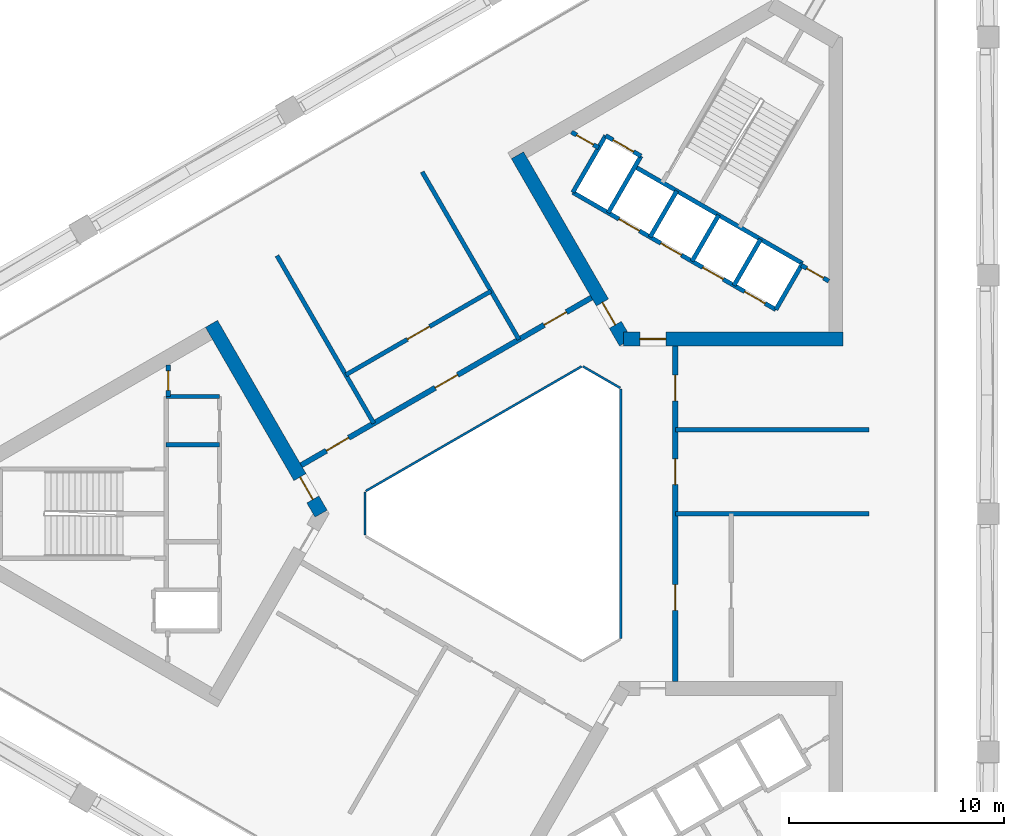
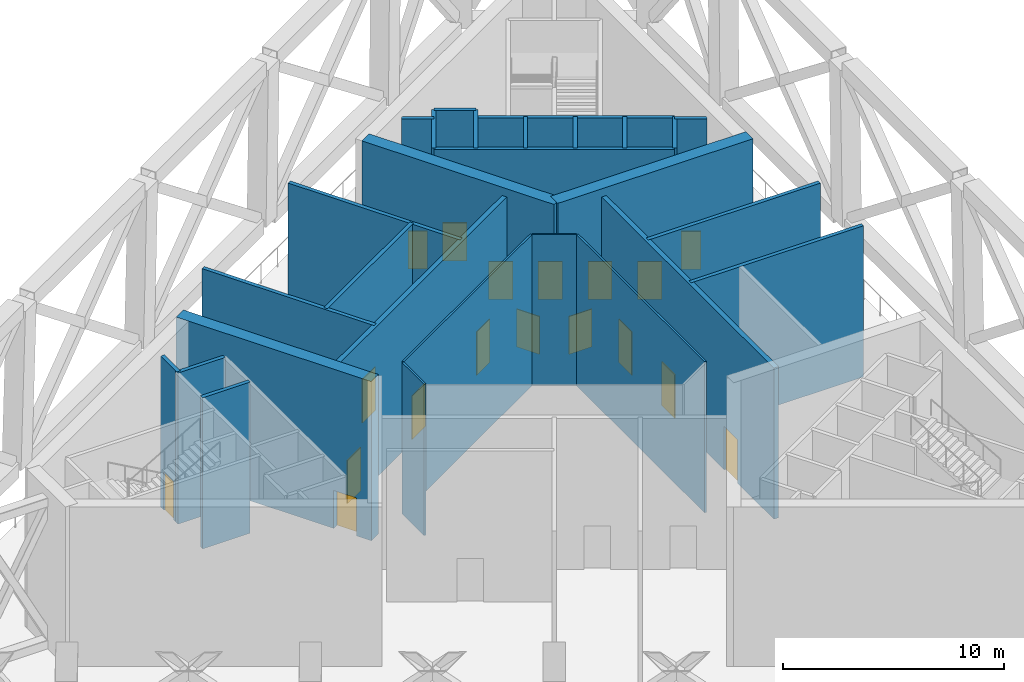
# One storey, part 5 of 8: 28 walls, 18 doors, 18 openings.
"""IFC4 building model written with IfcOpenShell, lengths in metres."""

from ifc_helpers import new_model, si_unit, direction, frame, frame_2d, origin, place, context, subcontext, project, spatial, rectangle, extrude, material, layer, layer_set, type_object, element, fill, save


model = new_model("IFC4")

# Units and contexts
model_context = context("Model", 3, precision=1e-05, world=origin(), true_north=direction((0.0, 1.0)))
body_context = subcontext(model_context, "Body", "Model", "MODEL_VIEW")
ifc_project = project(units=[si_unit("LENGTHUNIT", "METRE"), si_unit("AREAUNIT", "SQUARE_METRE"), si_unit("VOLUMEUNIT", "CUBIC_METRE"), si_unit("PLANEANGLEUNIT", "RADIAN"), si_unit("MASSUNIT", "GRAM", prefix="KILO")], contexts=[model_context])

# Site, building, storey
site_placement = place(None, origin())
site = spatial("IfcSite", under=ifc_project, at=site_placement, CompositionType="ELEMENT")
building_placement = place(site_placement, origin())
building = spatial("IfcBuilding", under=site, at=building_placement, Name="Jabali Bay Hotel Tower and Convention Centre", CompositionType="ELEMENT")
storey_placement = place(building_placement, frame((0.0, 0.0, 147.5)))
storey = spatial("IfcBuildingStorey", under=building, at=storey_placement, Name="L36", CompositionType="ELEMENT", Elevation=147.5)

# Walls
ifc_material_1 = material(Name="Fire-resistant glazing", Category="glass")
ifc_layer_1 = layer(ifc_material_1, 0.10009765625)
ifc_layer_set_1 = layer_set([ifc_layer_1], Name="Fire-resistant glazing")
wall_type_1 = type_object("IfcWallType", Name="Atrium glazed screen 100", PredefinedType="PARTITIONING", material=ifc_layer_set_1)
wall_1_placement = place(storey_placement, frame((79.56005859375, 74.205810546875, 0.0), z_axis=(0.0, 0.0, 1.0), x_axis=(0.0, 1.0, 0.0)))
element("IfcWall", 1, at=wall_1_placement, inside=storey, type_object=wall_type_1, Name="Atrium screen 1 L36", PredefinedType="PARTITIONING", context=body_context, shape_type="SweptSolid", body=[
    extrude(rectangle(XDim=11.58837890625, YDim=0.10009765625, at=frame_2d((5.794189453125, 0.0))), origin(), (0.0, 0.0, 1.0), 8.35009765625),
])
wall_2_placement = place(storey_placement, frame((79.530029296875, 85.84619140625, 0.0), z_axis=(0.0, 0.0, 1.0), x_axis=(-0.866041268327, 0.499972520799, 0.0)))
element("IfcWall", 2, at=wall_2_placement, inside=storey, type_object=wall_type_1, Name="Atrium screen 2 L36", PredefinedType="PARTITIONING", context=body_context, shape_type="SweptSolid", body=[
    extrude(rectangle(XDim=2.0, YDim=0.10009765625, at=frame_2d((1.0, 0.0))), origin(), (0.0, 0.0, 1.0), 8.35009765625),
])
wall_3_placement = place(storey_placement, frame((77.738037109375, 86.84619140625, 0.0), z_axis=(0.0, 0.0, 1.0), x_axis=(-0.866026658274, -0.499997827154, 0.0)))
element("IfcWall", 3, at=wall_3_placement, inside=storey, type_object=wall_type_1, Name="Atrium screen 3 L36", PredefinedType="PARTITIONING", context=body_context, shape_type="SweptSolid", body=[
    extrude(rectangle(XDim=11.58837890625, YDim=0.10009765625, at=frame_2d((5.794189453125, 0.0))), origin(), (0.0, 0.0, 1.0), 8.35009765625),
])
wall_4_placement = place(storey_placement, frame((67.672119140625, 81.0, 0.0), z_axis=(0.0, 0.0, 1.0), x_axis=(0.0, -1.0, 0.0)))
element("IfcWall", 4, at=wall_4_placement, inside=storey, type_object=wall_type_1, Name="Atrium screen 4 L36", PredefinedType="PARTITIONING", context=body_context, shape_type="SweptSolid", body=[
    extrude(rectangle(XDim=2.0, YDim=0.10009765625, at=frame_2d((1.0, 0.0))), origin(), (0.0, 0.0, 1.0), 8.35009765625),
])

# Wall, opening, door
ifc_material_2 = material(Name="Concrete C40", Category="concrete")
ifc_layer_2 = layer(ifc_material_2, 0.199951171875)
ifc_layer_set_2 = layer_set([ifc_layer_2], Name="Concrete C40")
wall_type_2 = type_object("IfcWallType", Name="Core partition wall 200", PredefinedType="PARTITIONING", material=ifc_layer_set_2)
wall_5_placement = place(storey_placement, frame((58.52001953125, 86.916748046875, 0.0), z_axis=(0.0, 0.0, 1.0), x_axis=(0.0, -1.0, 0.0)))
wall_5 = element("IfcWall", 5, at=wall_5_placement, inside=storey, type_object=wall_type_2, Name="Core wall 0.10 L36", PredefinedType="PARTITIONING", context=body_context, shape_type="SweptSolid", body=[
    extrude(rectangle(XDim=1.466796875, YDim=0.199951171875, at=frame_2d((0.7333984375, 0.0))), origin(), (0.0, 0.0, 1.0), 8.35009765625),
])
opening_1_placement = place(wall_5_placement, frame((0.283447265625, 0.0, 0.0)))
opening_1 = element("IfcOpeningElement", 6, at=opening_1_placement, cuts=wall_5, Name="Opening D788", PredefinedType="OPENING", context=body_context, shape_type="SweptSolid", body=[
    extrude(rectangle(XDim=0.89990234375, YDim=2.10009765625, at=frame_2d((0.449951171875, 1.050048828125))), frame((0.0, 0.1103515625, 0.0), z_axis=(0.0, -1.0, 0.0), x_axis=(1.0, 0.0, 0.0)), (0.0, 0.0, 1.0), 0.220947265625),
])
ifc_material_3 = material(Name="Fire-rated steel door", Category="steel")
door_type_1 = type_object("IfcDoorType", Name="Vestibule fire door 900 x 2100", OperationType="NOTDEFINED", PredefinedType="NOTDEFINED", material=ifc_material_3)
door_1_placement = place(opening_1_placement, origin())
door_1 = element("IfcDoor", 7, at=door_1_placement, inside=storey, type_object=door_type_1, Name="Vestibule fire door D788", OperationType="SINGLE_SWING_LEFT", OverallHeight=2.10009765625, OverallWidth=0.89990234375, PredefinedType="NOTDEFINED", context=body_context, shape_type="SweptSolid", body=[
    extrude(rectangle(XDim=0.89990234375, YDim=2.10009765625, at=frame_2d((0.449951171875, 1.050048828125))), frame((0.0, 0.02490234375, 0.0), z_axis=(0.0, -1.0, 0.0), x_axis=(1.0, 0.0, 0.0)), (0.0, 0.0, 1.0), 0.050048828125),
])
fill(opening_1, door_1)

wall_6_placement = place(storey_placement, frame((89.22998046875, 90.813720703125, 0.0), z_axis=(0.0, 0.0, 1.0), x_axis=(-0.866022048785, 0.500005810984, 0.0)))
wall_6 = element("IfcWall", 8, at=wall_6_placement, inside=storey, type_object=wall_type_2, Name="Core wall 1.11 L36", PredefinedType="PARTITIONING", context=body_context, shape_type="SweptSolid", body=[
    extrude(rectangle(XDim=1.466796875, YDim=0.199951171875, at=frame_2d((0.7333984375, 0.0))), origin(), (0.0, 0.0, 1.0), 8.35009765625),
])
opening_2_placement = place(wall_6_placement, frame((0.283447265625, 0.0, 0.0)))
opening_2 = element("IfcOpeningElement", 9, at=opening_2_placement, cuts=wall_6, Name="Opening D794", PredefinedType="OPENING", context=body_context, shape_type="SweptSolid", body=[
    extrude(rectangle(XDim=0.89990234375, YDim=2.10009765625, at=frame_2d((0.449951171875, 1.050048828125))), frame((0.0, 0.1103515625, 0.0), z_axis=(0.0, -1.0, 0.0), x_axis=(1.0, 0.0, 0.0)), (0.0, 0.0, 1.0), 0.220947265625),
])
door_2_placement = place(opening_2_placement, origin())
door_2 = element("IfcDoor", 10, at=door_2_placement, inside=storey, type_object=door_type_1, Name="Vestibule fire door D794", OperationType="SINGLE_SWING_LEFT", OverallHeight=2.10009765625, OverallWidth=0.89990234375, PredefinedType="NOTDEFINED", context=body_context, shape_type="SweptSolid", body=[
    extrude(rectangle(XDim=0.89990234375, YDim=2.10009765625, at=frame_2d((0.449951171875, 1.050048828125))), frame((0.0, 0.02490234375, 0.0), z_axis=(0.0, -1.0, 0.0), x_axis=(1.0, 0.0, 0.0)), (0.0, 0.0, 1.0), 0.050048828125),
])
fill(opening_2, door_2)

wall_7_placement = place(storey_placement, frame((78.5302734375, 97.014404296875, 0.0), z_axis=(0.0, 0.0, 1.0), x_axis=(-0.866045896294, 0.499964504253, 0.0)))
wall_7 = element("IfcWall", 11, at=wall_7_placement, inside=storey, type_object=wall_type_2, Name="Core wall 1.12 L36", PredefinedType="PARTITIONING", context=body_context, shape_type="SweptSolid", body=[
    extrude(rectangle(XDim=1.455078125, YDim=0.199951171875, at=frame_2d((0.7275390625, 0.0))), origin(), (0.0, 0.0, 1.0), 8.35009765625),
])
opening_3_placement = place(wall_7_placement, frame((0.277587890625, 0.0, 0.0)))
opening_3 = element("IfcOpeningElement", 12, at=opening_3_placement, cuts=wall_7, Name="Opening D793", PredefinedType="OPENING", context=body_context, shape_type="SweptSolid", body=[
    extrude(rectangle(XDim=0.89990234375, YDim=2.10009765625, at=frame_2d((0.449951171875, 1.050048828125))), frame((0.0, 0.1103515625, 0.0), z_axis=(0.0, -1.0, 0.0), x_axis=(1.0, 0.0, 0.0)), (0.0, 0.0, 1.0), 0.220947265625),
])
door_3_placement = place(opening_3_placement, origin())
door_3 = element("IfcDoor", 13, at=door_3_placement, inside=storey, type_object=door_type_1, Name="Vestibule fire door D793", OperationType="SINGLE_SWING_LEFT", OverallHeight=2.10009765625, OverallWidth=0.89990234375, PredefinedType="NOTDEFINED", context=body_context, shape_type="SweptSolid", body=[
    extrude(rectangle(XDim=0.89990234375, YDim=2.10009765625, at=frame_2d((0.449951171875, 1.050048828125))), frame((0.0, 0.02490234375, 0.0), z_axis=(0.0, -1.0, 0.0), x_axis=(1.0, 0.0, 0.0)), (0.0, 0.0, 1.0), 0.050048828125),
])
fill(opening_3, door_3)

# Walls
ifc_layer_3 = layer(ifc_material_2, 0.199951171875)
ifc_layer_set_3 = layer_set([ifc_layer_3], Name="Concrete C40")
wall_type_3 = type_object("IfcWallType", Name="Core stair wall 200", PredefinedType="SOLIDWALL", material=ifc_layer_set_3)
for number, where, z_axis, x_axis, name in (
    (14, (60.89990234375, 85.449951171875, 0.0), (0.0, 0.0, 1.0), (-1.0, 0.0, 0.0), "Core wall 0.0 L36"),
    (15, (60.89990234375, 83.199951171875, 0.0), (0.0, 0.0, 1.0), (-1.0, 0.0, 0.0), "Core wall 0.1 L36"),
):
    element("IfcWall", number, at=place(storey_placement, frame(where, z_axis=z_axis, x_axis=x_axis)), inside=storey, type_object=wall_type_3, Name=name, PredefinedType="SOLIDWALL", context=body_context, shape_type="SweptSolid", body=[
        extrude(rectangle(XDim=2.47998046875, YDim=0.199951171875, at=frame_2d((1.239990234375, 0.0))), origin(), (0.0, 0.0, 1.0), 8.35009765625),
    ])
for number, where, z_axis, x_axis, name in (
    (16, (86.769775390625, 89.48583984375, 0.0), (0.0, 0.0, 1.0), (0.499961042966, 0.86604789447, 0.0), "Core wall 1.0 L36"),
    (17, (84.8212890625, 90.61083984375, 0.0), (0.0, 0.0, 1.0), (0.499961042966, 0.86604789447, 0.0), "Core wall 1.1 L36"),
    (18, (82.872802734375, 91.73583984375, 0.0), (0.0, 0.0, 1.0), (0.499961042966, 0.86604789447, 0.0), "Core wall 1.3 L36"),
    (19, (80.924072265625, 92.86083984375, 0.0), (0.0, 0.0, 1.0), (0.499961042966, 0.86604789447, 0.0), "Core wall 1.6 L36"),
):
    element("IfcWall", number, at=place(storey_placement, frame(where, z_axis=z_axis, x_axis=x_axis)), inside=storey, type_object=wall_type_3, Name=name, PredefinedType="SOLIDWALL", context=body_context, shape_type="SweptSolid", body=[
        extrude(rectangle(XDim=2.480224609375, YDim=0.199951171875, at=frame_2d((1.240234375, 0.0))), origin(), (0.0, 0.0, 1.0), 8.35009765625),
    ])
for number, where, z_axis, x_axis, name in (
    (20, (78.9755859375, 93.98583984375, 0.0), (0.0, 0.0, 1.0), (0.499944174705, 0.866057632134, 0.0), "Core wall 1.8 L36"),
    (21, (77.330078125, 94.93603515625, 0.0), (0.0, 0.0, 1.0), (0.500038867431, 0.8660029625, 0.0), "Core wall 1.9 L36"),
):
    element("IfcWall", number, at=place(storey_placement, frame(where, z_axis=z_axis, x_axis=x_axis)), inside=storey, type_object=wall_type_3, Name=name, PredefinedType="SOLIDWALL", context=body_context, shape_type="SweptSolid", body=[
        extrude(rectangle(XDim=3.050048828125, YDim=0.199951171875, at=frame_2d((1.52490234375, 0.0))), origin(), (0.0, 0.0, 1.0), 8.35009765625),
    ])

# Wall, openings, doors
wall_8_placement = place(storey_placement, frame((86.769775390625, 89.48583984375, 0.0), z_axis=(0.0, 0.0, 1.0), x_axis=(-0.86601811187, 0.500012629753, 0.0)))
wall_8 = element("IfcWall", 22, at=wall_8_placement, inside=storey, type_object=wall_type_3, Name="Core wall 1.10 L36", PredefinedType="SOLIDWALL", context=body_context, shape_type="SweptSolid", body=[
    extrude(rectangle(XDim=10.900146484375, YDim=0.199951171875, at=frame_2d((5.4501953125, 0.0))), origin(), (0.0, 0.0, 1.0), 8.35009765625),
])
opening_4_placement = place(wall_8_placement, frame((0.574951171875, 0.0, 0.0)))
opening_4 = element("IfcOpeningElement", 23, at=opening_4_placement, cuts=wall_8, Name="Opening LD6-L36", PredefinedType="OPENING", context=body_context, shape_type="SweptSolid", body=[
    extrude(rectangle(XDim=1.10009765625, YDim=2.10009765625, at=frame_2d((0.550048828125, 1.050048828125))), frame((0.0, 0.1103515625, 0.0), z_axis=(0.0, -1.0, 0.0), x_axis=(1.0, 0.0, 0.0)), (0.0, 0.0, 1.0), 0.220947265625),
])
opening_5_placement = place(wall_8_placement, frame((2.824951171875, 0.0, 0.0)))
opening_5 = element("IfcOpeningElement", 24, at=opening_5_placement, cuts=wall_8, Name="Opening LD7-L36", PredefinedType="OPENING", context=body_context, shape_type="SweptSolid", body=[
    extrude(rectangle(XDim=1.10009765625, YDim=2.10009765625, at=frame_2d((0.550048828125, 1.050048828125))), frame((0.0, 0.1103515625, 0.0), z_axis=(0.0, -1.0, 0.0), x_axis=(1.0, 0.0, 0.0)), (0.0, 0.0, 1.0), 0.220947265625),
])
opening_6_placement = place(wall_8_placement, frame((5.074951171875, 0.0, 0.0)))
opening_6 = element("IfcOpeningElement", 25, at=opening_6_placement, cuts=wall_8, Name="Opening LD8-L36", PredefinedType="OPENING", context=body_context, shape_type="SweptSolid", body=[
    extrude(rectangle(XDim=1.10009765625, YDim=2.10009765625, at=frame_2d((0.550048828125, 1.050048828125))), frame((0.0, 0.1103515625, 0.0), z_axis=(0.0, -1.0, 0.0), x_axis=(1.0, 0.0, 0.0)), (0.0, 0.0, 1.0), 0.220947265625),
])
opening_7_placement = place(wall_8_placement, frame((7.324951171875, 0.0, 0.0)))
opening_7 = element("IfcOpeningElement", 26, at=opening_7_placement, cuts=wall_8, Name="Opening LD9-L36", PredefinedType="OPENING", context=body_context, shape_type="SweptSolid", body=[
    extrude(rectangle(XDim=1.10009765625, YDim=2.10009765625, at=frame_2d((0.550048828125, 1.050048828125))), frame((0.0, 0.1103515625, 0.0), z_axis=(0.0, -1.0, 0.0), x_axis=(1.0, 0.0, 0.0)), (0.0, 0.0, 1.0), 0.220947265625),
])
ifc_material_4 = material(Name="Stainless steel landing door", Category="steel")
door_type_2 = type_object("IfcDoorType", Name="Landing door 1100 x 2100", OperationType="NOTDEFINED", PredefinedType="NOTDEFINED", material=ifc_material_4)
door_4_placement = place(opening_4_placement, origin())
door_4 = element("IfcDoor", 27, at=door_4_placement, inside=storey, type_object=door_type_2, Name="Landing doors LD6-L36", OperationType="SLIDING_TO_RIGHT", OverallHeight=2.10009765625, OverallWidth=1.10009765625, PredefinedType="NOTDEFINED", context=body_context, shape_type="SweptSolid", body=[
    extrude(rectangle(XDim=1.10009765625, YDim=2.10009765625, at=frame_2d((0.550048828125, 1.050048828125))), frame((0.0, 0.02490234375, 0.0), z_axis=(0.0, -1.0, 0.0), x_axis=(1.0, 0.0, 0.0)), (0.0, 0.0, 1.0), 0.050048828125),
])
fill(opening_4, door_4)
door_5_placement = place(opening_5_placement, origin())
door_5 = element("IfcDoor", 28, at=door_5_placement, inside=storey, type_object=door_type_2, Name="Landing doors LD7-L36", OperationType="SLIDING_TO_LEFT", OverallHeight=2.10009765625, OverallWidth=1.10009765625, PredefinedType="NOTDEFINED", context=body_context, shape_type="SweptSolid", body=[
    extrude(rectangle(XDim=1.10009765625, YDim=2.10009765625, at=frame_2d((0.550048828125, 1.050048828125))), frame((0.0, 0.02490234375, 0.0), z_axis=(0.0, -1.0, 0.0), x_axis=(1.0, 0.0, 0.0)), (0.0, 0.0, 1.0), 0.050048828125),
])
fill(opening_5, door_5)
door_6_placement = place(opening_6_placement, origin())
door_6 = element("IfcDoor", 29, at=door_6_placement, inside=storey, type_object=door_type_2, Name="Landing doors LD8-L36", OperationType="SLIDING_TO_RIGHT", OverallHeight=2.10009765625, OverallWidth=1.10009765625, PredefinedType="NOTDEFINED", context=body_context, shape_type="SweptSolid", body=[
    extrude(rectangle(XDim=1.10009765625, YDim=2.10009765625, at=frame_2d((0.550048828125, 1.050048828125))), frame((0.0, 0.02490234375, 0.0), z_axis=(0.0, -1.0, 0.0), x_axis=(1.0, 0.0, 0.0)), (0.0, 0.0, 1.0), 0.050048828125),
])
fill(opening_6, door_6)
door_7_placement = place(opening_7_placement, origin())
door_7 = element("IfcDoor", 30, at=door_7_placement, inside=storey, type_object=door_type_2, Name="Landing doors LD9-L36", OperationType="SLIDING_TO_LEFT", OverallHeight=2.10009765625, OverallWidth=1.10009765625, PredefinedType="NOTDEFINED", context=body_context, shape_type="SweptSolid", body=[
    extrude(rectangle(XDim=1.10009765625, YDim=2.10009765625, at=frame_2d((0.550048828125, 1.050048828125))), frame((0.0, 0.02490234375, 0.0), z_axis=(0.0, -1.0, 0.0), x_axis=(1.0, 0.0, 0.0)), (0.0, 0.0, 1.0), 0.050048828125),
])
fill(opening_7, door_7)

# Wall
wall_9_placement = place(storey_placement, frame((88.009765625, 91.6337890625, 0.0), z_axis=(0.0, 0.0, 1.0), x_axis=(-0.866024315419, 0.5000018851, 0.0)))
element("IfcWall", 31, at=wall_9_placement, inside=storey, type_object=wall_type_3, Name="Core wall 1.13 L36", PredefinedType="SOLIDWALL", context=body_context, shape_type="SweptSolid", body=[
    extrude(rectangle(XDim=9.0, YDim=0.199951171875, at=frame_2d((4.5, 0.0))), origin(), (0.0, 0.0, 1.0), 8.35009765625),
])

# Wall, opening, door
wall_10_placement = place(storey_placement, frame((80.50048828125, 96.62744140625, 0.0), z_axis=(0.0, 0.0, 1.0), x_axis=(-0.86601224135, 0.500022797313, 0.0)))
wall_10 = element("IfcWall", 32, at=wall_10_placement, inside=storey, type_object=wall_type_3, Name="Core wall 1.14 L36", PredefinedType="SOLIDWALL", context=body_context, shape_type="SweptSolid", body=[
    extrude(rectangle(XDim=1.89990234375, YDim=0.199951171875, at=frame_2d((0.949951171875, 0.0))), origin(), (0.0, 0.0, 1.0), 8.35009765625),
])
opening_8_placement = place(wall_10_placement, frame((0.39990234375, 0.0, 0.0)))
opening_8 = element("IfcOpeningElement", 33, at=opening_8_placement, cuts=wall_10, Name="Opening LD10-L36", PredefinedType="OPENING", context=body_context, shape_type="SweptSolid", body=[
    extrude(rectangle(XDim=1.10009765625, YDim=2.10009765625, at=frame_2d((0.550048828125, 1.050048828125))), frame((0.0, 0.1103515625, 0.0), z_axis=(0.0, -1.0, 0.0), x_axis=(1.0, 0.0, 0.0)), (0.0, 0.0, 1.0), 0.220947265625),
])
door_8_placement = place(opening_8_placement, origin())
door_8 = element("IfcDoor", 34, at=door_8_placement, inside=storey, type_object=door_type_2, Name="Landing doors LD10-L36", OperationType="SLIDING_TO_RIGHT", OverallHeight=2.10009765625, OverallWidth=1.10009765625, PredefinedType="NOTDEFINED", context=body_context, shape_type="SweptSolid", body=[
    extrude(rectangle(XDim=1.10009765625, YDim=2.10009765625, at=frame_2d((0.550048828125, 1.050048828125))), frame((0.0, 0.02490234375, 0.0), z_axis=(0.0, -1.0, 0.0), x_axis=(1.0, 0.0, 0.0)), (0.0, 0.0, 1.0), 0.050048828125),
])
fill(opening_8, door_8)

ifc_material_5 = material(Name="Concrete C60", Category="concrete")
ifc_layer_4 = layer(ifc_material_5, 0.64990234375)
ifc_layer_set_4 = layer_set([ifc_layer_4], Name="Concrete C60")
wall_type_4 = type_object("IfcWallType", Name="Core wall 650", PredefinedType="SHEAR", material=ifc_layer_set_4)
wall_11_placement = place(storey_placement, frame((65.624755859375, 80.0, 0.0), z_axis=(0.0, 0.0, 1.0), x_axis=(-0.49999822179, 0.866026430432, 0.0)))
wall_11 = element("IfcWall", 35, at=wall_11_placement, inside=storey, type_object=wall_type_4, Name="Core wall 1.1 L36", PredefinedType="SHEAR", context=body_context, shape_type="SweptSolid", body=[
    extrude(rectangle(XDim=10.1923828125, YDim=0.64990234375, at=frame_2d((5.09619140625, 0.0))), origin(), (0.0, 0.0, 1.0), 8.800048828125),
])
opening_9_placement = place(wall_11_placement, frame((0.762451171875, 0.0, 0.0)))
opening_9 = element("IfcOpeningElement", 36, at=opening_9_placement, cuts=wall_11, Name="Opening D782", PredefinedType="OPENING", context=body_context, shape_type="SweptSolid", body=[
    extrude(rectangle(XDim=1.199951171875, YDim=2.10009765625, at=frame_2d((0.60009765625, 1.050048828125))), frame((0.0, 0.33544921875, 0.0), z_axis=(0.0, -1.0, 0.0), x_axis=(1.0, 0.0, 0.0)), (0.0, 0.0, 1.0), 0.6708984375),
])
door_type_3 = type_object("IfcDoorType", Name="Corridor end fire door 1200 x 2100", OperationType="NOTDEFINED", PredefinedType="NOTDEFINED", material=ifc_material_3)
door_9_placement = place(opening_9_placement, origin())
door_9 = element("IfcDoor", 37, at=door_9_placement, inside=storey, type_object=door_type_3, Name="Corridor end fire door D782", OperationType="SINGLE_SWING_RIGHT", OverallHeight=2.10009765625, OverallWidth=1.199951171875, PredefinedType="NOTDEFINED", context=body_context, shape_type="SweptSolid", body=[
    extrude(rectangle(XDim=1.199951171875, YDim=2.10009765625, at=frame_2d((0.60009765625, 1.050048828125))), frame((0.0, 0.02490234375, 0.0), z_axis=(0.0, -1.0, 0.0), x_axis=(1.0, 0.0, 0.0)), (0.0, 0.0, 1.0), 0.050048828125),
])
fill(opening_9, door_9)

wall_12_placement = place(storey_placement, frame((79.687744140625, 88.119140625, 0.0), z_axis=(0.0, 0.0, 1.0), x_axis=(1.0, 0.0, 0.0)))
wall_12 = element("IfcWall", 38, at=wall_12_placement, inside=storey, type_object=wall_type_4, Name="Core wall 2.1 L36", PredefinedType="SHEAR", context=body_context, shape_type="SweptSolid", body=[
    extrude(rectangle(XDim=10.192138671875, YDim=0.64990234375, at=frame_2d((5.09619140625, 0.0))), origin(), (0.0, 0.0, 1.0), 8.800048828125),
])
opening_10_placement = place(wall_12_placement, frame((0.762451171875, 0.0, 0.0)))
opening_10 = element("IfcOpeningElement", 39, at=opening_10_placement, cuts=wall_12, Name="Opening D791", PredefinedType="OPENING", context=body_context, shape_type="SweptSolid", body=[
    extrude(rectangle(XDim=1.199951171875, YDim=2.10009765625, at=frame_2d((0.60009765625, 1.050048828125))), frame((0.0, 0.33544921875, 0.0), z_axis=(0.0, -1.0, 0.0), x_axis=(1.0, 0.0, 0.0)), (0.0, 0.0, 1.0), 0.6708984375),
])
door_10_placement = place(opening_10_placement, origin())
door_10 = element("IfcDoor", 40, at=door_10_placement, inside=storey, type_object=door_type_3, Name="Corridor end fire door D791", OperationType="SINGLE_SWING_RIGHT", OverallHeight=2.10009765625, OverallWidth=1.199951171875, PredefinedType="NOTDEFINED", context=body_context, shape_type="SweptSolid", body=[
    extrude(rectangle(XDim=1.199951171875, YDim=2.10009765625, at=frame_2d((0.60009765625, 1.050048828125))), frame((0.0, 0.02490234375, 0.0), z_axis=(0.0, -1.0, 0.0), x_axis=(1.0, 0.0, 0.0)), (0.0, 0.0, 1.0), 0.050048828125),
])
fill(opening_10, door_10)

wall_13_placement = place(storey_placement, frame((74.75390625, 96.66455078125, 0.0), z_axis=(0.0, 0.0, 1.0), x_axis=(0.500011799426, -0.866018591275, 0.0)))
wall_13 = element("IfcWall", 41, at=wall_13_placement, inside=storey, type_object=wall_type_4, Name="Core wall 2.5 L36", PredefinedType="SHEAR", context=body_context, shape_type="SweptSolid", body=[
    extrude(rectangle(XDim=10.054931640625, YDim=0.64990234375, at=frame_2d((5.02734375, 0.0))), origin(), (0.0, 0.0, 1.0), 8.800048828125),
])
opening_11_placement = place(wall_13_placement, frame((7.905029296875, 0.0, 0.0)))
opening_11 = element("IfcOpeningElement", 42, at=opening_11_placement, cuts=wall_13, Name="Opening D792", PredefinedType="OPENING", context=body_context, shape_type="SweptSolid", body=[
    extrude(rectangle(XDim=1.199951171875, YDim=2.10009765625, at=frame_2d((0.60009765625, 1.050048828125))), frame((0.0, 0.33544921875, 0.0), z_axis=(0.0, -1.0, 0.0), x_axis=(1.0, 0.0, 0.0)), (0.0, 0.0, 1.0), 0.6708984375),
])
door_11_placement = place(opening_11_placement, origin())
door_11 = element("IfcDoor", 43, at=door_11_placement, inside=storey, type_object=door_type_3, Name="Corridor end fire door D792", OperationType="SINGLE_SWING_LEFT", OverallHeight=2.10009765625, OverallWidth=1.199951171875, PredefinedType="NOTDEFINED", context=body_context, shape_type="SweptSolid", body=[
    extrude(rectangle(XDim=1.199951171875, YDim=2.10009765625, at=frame_2d((0.60009765625, 1.050048828125))), frame((0.0, 0.02490234375, 0.0), z_axis=(0.0, -1.0, 0.0), x_axis=(1.0, 0.0, 0.0)), (0.0, 0.0, 1.0), 0.050048828125),
])
fill(opening_11, door_11)

# Wall, openings, doors
ifc_layer_5 = layer(ifc_material_5, 0.25)
ifc_layer_set_5 = layer_set([ifc_layer_5], Name="Concrete C60")
wall_type_5 = type_object("IfcWallType", Name="Corridor wall 250", PredefinedType="SHEAR", material=ifc_layer_set_5)
wall_14_placement = place(storey_placement, frame((82.10009765625, 72.205810546875, 0.0), z_axis=(0.0, 0.0, 1.0), x_axis=(0.0, 1.0, 0.0)))
wall_14 = element("IfcWall", 44, at=wall_14_placement, inside=storey, type_object=wall_type_5, Name="Corridor wall 1 L36", PredefinedType="SHEAR", context=body_context, shape_type="SweptSolid", body=[
    extrude(rectangle(XDim=15.58837890625, YDim=0.25, at=frame_2d((7.794189453125, 0.0))), origin(), (0.0, 0.0, 1.0), 8.35009765625),
])
opening_12_placement = place(wall_14_placement, frame((3.297119140625, 0.0, 0.0)))
opening_12 = element("IfcOpeningElement", 45, at=opening_12_placement, cuts=wall_14, Name="Opening 3601", PredefinedType="OPENING", context=body_context, shape_type="SweptSolid", body=[
    extrude(rectangle(XDim=1.199951171875, YDim=2.39990234375, at=frame_2d((0.60009765625, 1.199951171875))), frame((0.0, 0.135498046875, 0.0), z_axis=(0.0, -1.0, 0.0), x_axis=(1.0, 0.0, 0.0)), (0.0, 0.0, 1.0), 0.27099609375),
])
opening_13_placement = place(wall_14_placement, frame((9.142822265625, 0.0, 0.0)))
opening_13 = element("IfcOpeningElement", 46, at=opening_13_placement, cuts=wall_14, Name="Opening 3603", PredefinedType="OPENING", context=body_context, shape_type="SweptSolid", body=[
    extrude(rectangle(XDim=1.199951171875, YDim=2.39990234375, at=frame_2d((0.60009765625, 1.199951171875))), frame((0.0, 0.135498046875, 0.0), z_axis=(0.0, -1.0, 0.0), x_axis=(1.0, 0.0, 0.0)), (0.0, 0.0, 1.0), 0.27099609375),
])
opening_14_placement = place(wall_14_placement, frame((13.039794921875, 0.0, 0.0)))
opening_14 = element("IfcOpeningElement", 47, at=opening_14_placement, cuts=wall_14, Name="Opening 3604", PredefinedType="OPENING", context=body_context, shape_type="SweptSolid", body=[
    extrude(rectangle(XDim=1.199951171875, YDim=2.39990234375, at=frame_2d((0.60009765625, 1.199951171875))), frame((0.0, 0.135498046875, 0.0), z_axis=(0.0, -1.0, 0.0), x_axis=(1.0, 0.0, 0.0)), (0.0, 0.0, 1.0), 0.27099609375),
])
ifc_material_6 = material(Name="Steel Q355B", Category="steel")
door_type_4 = type_object("IfcDoorType", Name="Plant room door 1200 x 2400", OperationType="NOTDEFINED", PredefinedType="NOTDEFINED", material=ifc_material_6)
door_12_placement = place(opening_13_placement, origin())
door_12 = element("IfcDoor", 48, at=door_12_placement, inside=storey, type_object=door_type_4, Name="Door 3603", OperationType="SINGLE_SWING_RIGHT", OverallHeight=2.39990234375, OverallWidth=1.199951171875, PredefinedType="NOTDEFINED", context=body_context, shape_type="SweptSolid", body=[
    extrude(rectangle(XDim=1.199951171875, YDim=2.39990234375, at=frame_2d((0.60009765625, 1.199951171875))), frame((0.0, 0.02490234375, 0.0), z_axis=(0.0, -1.0, 0.0), x_axis=(1.0, 0.0, 0.0)), (0.0, 0.0, 1.0), 0.050048828125),
])
fill(opening_13, door_12)
door_13_placement = place(opening_14_placement, origin())
door_13 = element("IfcDoor", 49, at=door_13_placement, inside=storey, type_object=door_type_4, Name="Door 3604", OperationType="SINGLE_SWING_RIGHT", OverallHeight=2.39990234375, OverallWidth=1.199951171875, PredefinedType="NOTDEFINED", context=body_context, shape_type="SweptSolid", body=[
    extrude(rectangle(XDim=1.199951171875, YDim=2.39990234375, at=frame_2d((0.60009765625, 1.199951171875))), frame((0.0, 0.02490234375, 0.0), z_axis=(0.0, -1.0, 0.0), x_axis=(1.0, 0.0, 0.0)), (0.0, 0.0, 1.0), 0.050048828125),
])
fill(opening_14, door_13)
door_type_5 = type_object("IfcDoorType", Name="Refuge hall door 1200 x 2400", OperationType="NOTDEFINED", PredefinedType="NOTDEFINED", material=ifc_material_6)
door_14_placement = place(opening_12_placement, origin())
door_14 = element("IfcDoor", 50, at=door_14_placement, inside=storey, type_object=door_type_5, Name="Door 3601", OperationType="SINGLE_SWING_LEFT", OverallHeight=2.39990234375, OverallWidth=1.199951171875, PredefinedType="NOTDEFINED", context=body_context, shape_type="SweptSolid", body=[
    extrude(rectangle(XDim=1.199951171875, YDim=2.39990234375, at=frame_2d((0.60009765625, 1.199951171875))), frame((0.0, 0.02490234375, 0.0), z_axis=(0.0, -1.0, 0.0), x_axis=(1.0, 0.0, 0.0)), (0.0, 0.0, 1.0), 0.050048828125),
])
fill(opening_12, door_14)

wall_15_placement = place(storey_placement, frame((78.199951171875, 90.0458984375, 0.0), z_axis=(0.0, 0.0, 1.0), x_axis=(-0.866026492143, -0.499998114903, 0.0)))
wall_15 = element("IfcWall", 51, at=wall_15_placement, inside=storey, type_object=wall_type_5, Name="Corridor wall 2 L36", PredefinedType="SHEAR", context=body_context, shape_type="SweptSolid", body=[
    extrude(rectangle(XDim=15.58837890625, YDim=0.25, at=frame_2d((7.794189453125, 0.0))), origin(), (0.0, 0.0, 1.0), 8.35009765625),
])
opening_15_placement = place(wall_15_placement, frame((1.3486328125, 0.0, 0.0)))
opening_15 = element("IfcOpeningElement", 52, at=opening_15_placement, cuts=wall_15, Name="Opening 3605", PredefinedType="OPENING", context=body_context, shape_type="SweptSolid", body=[
    extrude(rectangle(XDim=1.199951171875, YDim=2.39990234375, at=frame_2d((0.60009765625, 1.199951171875))), frame((0.0, 0.135498046875, 0.0), z_axis=(0.0, -1.0, 0.0), x_axis=(1.0, 0.0, 0.0)), (0.0, 0.0, 1.0), 0.27099609375),
])
opening_16_placement = place(wall_15_placement, frame((7.194091796875, 0.0, 0.0)))
opening_16 = element("IfcOpeningElement", 53, at=opening_16_placement, cuts=wall_15, Name="Opening 3606", PredefinedType="OPENING", context=body_context, shape_type="SweptSolid", body=[
    extrude(rectangle(XDim=1.199951171875, YDim=2.39990234375, at=frame_2d((0.60009765625, 1.199951171875))), frame((0.0, 0.135498046875, 0.0), z_axis=(0.0, -1.0, 0.0), x_axis=(1.0, 0.0, 0.0)), (0.0, 0.0, 1.0), 0.27099609375),
])
opening_17_placement = place(wall_15_placement, frame((13.039794921875, 0.0, 0.0)))
opening_17 = element("IfcOpeningElement", 54, at=opening_17_placement, cuts=wall_15, Name="Opening 3608", PredefinedType="OPENING", context=body_context, shape_type="SweptSolid", body=[
    extrude(rectangle(XDim=1.199951171875, YDim=2.39990234375, at=frame_2d((0.60009765625, 1.199951171875))), frame((0.0, 0.135498046875, 0.0), z_axis=(0.0, -1.0, 0.0), x_axis=(1.0, 0.0, 0.0)), (0.0, 0.0, 1.0), 0.27099609375),
])
door_15_placement = place(opening_15_placement, origin())
door_15 = element("IfcDoor", 55, at=door_15_placement, inside=storey, type_object=door_type_4, Name="Door 3605", OperationType="SINGLE_SWING_LEFT", OverallHeight=2.39990234375, OverallWidth=1.199951171875, PredefinedType="NOTDEFINED", context=body_context, shape_type="SweptSolid", body=[
    extrude(rectangle(XDim=1.199951171875, YDim=2.39990234375, at=frame_2d((0.60009765625, 1.199951171875))), frame((0.0, 0.02490234375, 0.0), z_axis=(0.0, -1.0, 0.0), x_axis=(1.0, 0.0, 0.0)), (0.0, 0.0, 1.0), 0.050048828125),
])
fill(opening_15, door_15)
door_16_placement = place(opening_17_placement, origin())
door_16 = element("IfcDoor", 56, at=door_16_placement, inside=storey, type_object=door_type_4, Name="Door 3608", OperationType="SINGLE_SWING_RIGHT", OverallHeight=2.39990234375, OverallWidth=1.199951171875, PredefinedType="NOTDEFINED", context=body_context, shape_type="SweptSolid", body=[
    extrude(rectangle(XDim=1.199951171875, YDim=2.39990234375, at=frame_2d((0.60009765625, 1.199951171875))), frame((0.0, 0.02490234375, 0.0), z_axis=(0.0, -1.0, 0.0), x_axis=(1.0, 0.0, 0.0)), (0.0, 0.0, 1.0), 0.050048828125),
])
fill(opening_17, door_16)
door_17_placement = place(opening_16_placement, origin())
door_17 = element("IfcDoor", 57, at=door_17_placement, inside=storey, type_object=door_type_5, Name="Door 3606", OperationType="SINGLE_SWING_RIGHT", OverallHeight=2.39990234375, OverallWidth=1.199951171875, PredefinedType="NOTDEFINED", context=body_context, shape_type="SweptSolid", body=[
    extrude(rectangle(XDim=1.199951171875, YDim=2.39990234375, at=frame_2d((0.60009765625, 1.199951171875))), frame((0.0, 0.02490234375, 0.0), z_axis=(0.0, -1.0, 0.0), x_axis=(1.0, 0.0, 0.0)), (0.0, 0.0, 1.0), 0.050048828125),
])
fill(opening_16, door_17)

# Walls
ifc_material_7 = material(Name="Plasterboard on steel stud", Category="steel")
ifc_layer_6 = layer(ifc_material_7, 0.199951171875)
ifc_layer_set_6 = layer_set([ifc_layer_6], Name="Plasterboard on steel stud")
wall_type_6 = type_object("IfcWallType", Name="Partition 200 plant", PredefinedType="PARTITIONING", material=ifc_layer_set_6)
wall_16_placement = place(storey_placement, frame((91.10009765625, 83.897216796875, 0.0), z_axis=(0.0, 0.0, 1.0), x_axis=(-1.0, 0.0, 0.0)))
element("IfcWall", 58, at=wall_16_placement, inside=storey, type_object=wall_type_6, Name="Partition P04 L36 003", PredefinedType="PARTITIONING", context=body_context, shape_type="SweptSolid", body=[
    extrude(rectangle(XDim=9.0, YDim=0.199951171875, at=frame_2d((4.5, 0.0))), origin(), (0.0, 0.0, 1.0), 8.35009765625),
])
ifc_layer_7 = layer(ifc_material_7, 0.199951171875)
ifc_layer_set_7 = layer_set([ifc_layer_7], Name="Plasterboard on steel stud")
wall_type_7 = type_object("IfcWallType", Name="Partition 200 refuge", PredefinedType="PARTITIONING", material=ifc_layer_set_7)
for number, where, z_axis, x_axis, name in (
    (59, (91.10009765625, 80.0, 0.0), (0.0, 0.0, 1.0), (-1.0, 0.0, 0.0), "Partition P05 L36 002"),
    (60, (70.324951171875, 95.8916015625, 0.0), (0.0, 0.0, 1.0), (0.5000018851, -0.866024315419, 0.0), "Partition P05 L36 004"),
):
    element("IfcWall", number, at=place(storey_placement, frame(where, z_axis=z_axis, x_axis=x_axis)), inside=storey, type_object=wall_type_7, Name=name, PredefinedType="PARTITIONING", context=body_context, shape_type="SweptSolid", body=[
        extrude(rectangle(XDim=9.0, YDim=0.199951171875, at=frame_2d((4.5, 0.0))), origin(), (0.0, 0.0, 1.0), 8.35009765625),
    ])

# Wall, opening, door
wall_17_placement = place(storey_placement, frame((73.52490234375, 90.34912109375, 0.0), z_axis=(0.0, 0.0, 1.0), x_axis=(-0.866019710441, -0.50000986103, 0.0)))
wall_17 = element("IfcWall", 61, at=wall_17_placement, inside=storey, type_object=wall_type_7, Name="Partition P05 L36 005", PredefinedType="PARTITIONING", context=body_context, shape_type="SweptSolid", body=[
    extrude(rectangle(XDim=7.794189453125, YDim=0.199951171875, at=frame_2d((3.89697265625, 0.0))), origin(), (0.0, 0.0, 1.0), 8.35009765625),
])
opening_18_placement = place(wall_17_placement, frame((3.297119140625, 0.0, 0.0)))
opening_18 = element("IfcOpeningElement", 62, at=opening_18_placement, cuts=wall_17, Name="Opening 3607", PredefinedType="OPENING", context=body_context, shape_type="SweptSolid", body=[
    extrude(rectangle(XDim=1.199951171875, YDim=2.39990234375, at=frame_2d((0.60009765625, 1.199951171875))), frame((0.0, 0.1103515625, 0.0), z_axis=(0.0, -1.0, 0.0), x_axis=(1.0, 0.0, 0.0)), (0.0, 0.0, 1.0), 0.220947265625),
])
door_18_placement = place(opening_18_placement, origin())
door_18 = element("IfcDoor", 63, at=door_18_placement, inside=storey, type_object=door_type_5, Name="Door 3607", OperationType="SINGLE_SWING_LEFT", OverallHeight=2.39990234375, OverallWidth=1.199951171875, PredefinedType="NOTDEFINED", context=body_context, shape_type="SweptSolid", body=[
    extrude(rectangle(XDim=1.199951171875, YDim=2.39990234375, at=frame_2d((0.60009765625, 1.199951171875))), frame((0.0, 0.02490234375, 0.0), z_axis=(0.0, -1.0, 0.0), x_axis=(1.0, 0.0, 0.0)), (0.0, 0.0, 1.0), 0.050048828125),
])
fill(opening_18, door_18)

# Wall
wall_18_placement = place(storey_placement, frame((63.574951171875, 91.994384765625, 0.0), z_axis=(0.0, 0.0, 1.0), x_axis=(0.5000018851, -0.866024315419, 0.0)))
element("IfcWall", 64, at=wall_18_placement, inside=storey, type_object=wall_type_7, Name="Partition P05 L36 006", PredefinedType="PARTITIONING", context=body_context, shape_type="SweptSolid", body=[
    extrude(rectangle(XDim=9.0, YDim=0.199951171875, at=frame_2d((4.5, 0.0))), origin(), (0.0, 0.0, 1.0), 8.35009765625),
])

save(model, "model.ifc")
